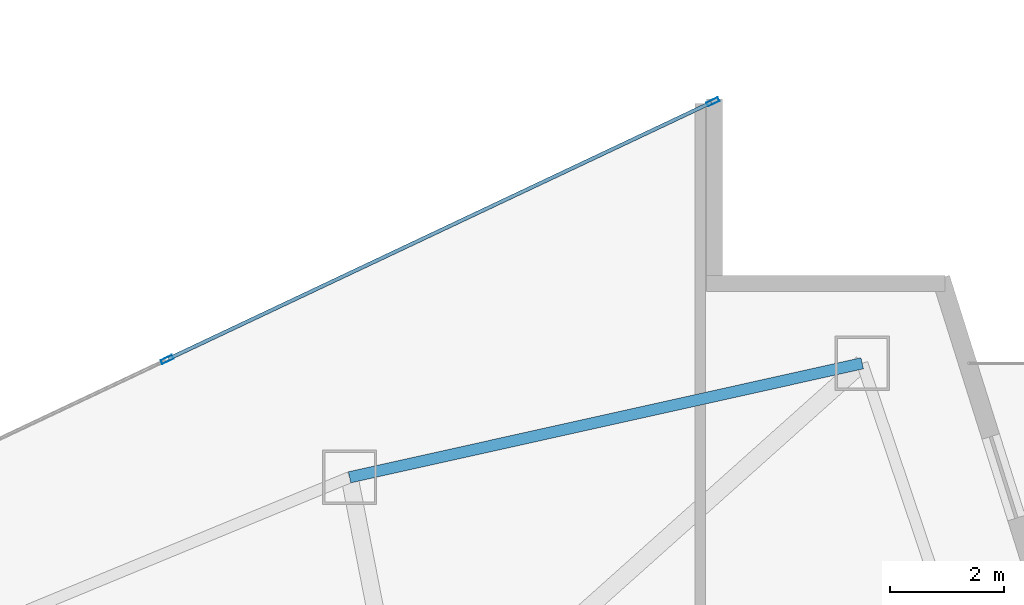
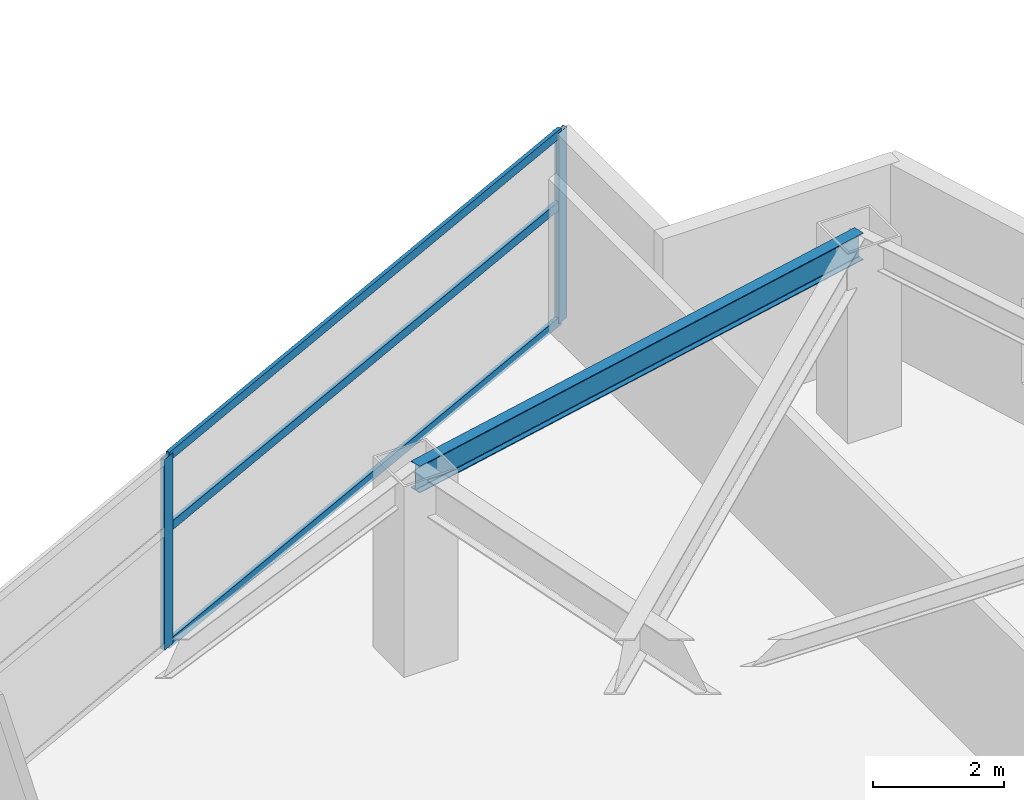
# One storey, part 20 of 30: 5 members, 1 beam, 1 element without a shape of its own.
"""IFC4 building model written with IfcOpenShell, lengths in metres."""

from ifc_helpers import new_model, si_unit, direction, frame, origin, origin_2d, place, context, subcontext, project, spatial, hollow_rectangle, i_section, extrude, material, layer, layer_set, material_profile, profile_set, type_object, element, aggregate, save


model = new_model("IFC4")

# Units and contexts
model_context = context("Model", 3, precision=1e-05, world=origin(), true_north=direction((0.0, 1.0)))
body_context = subcontext(model_context, "Body", "Model", "MODEL_VIEW")
ifc_project = project(units=[si_unit("LENGTHUNIT", "METRE"), si_unit("AREAUNIT", "SQUARE_METRE"), si_unit("VOLUMEUNIT", "CUBIC_METRE"), si_unit("PLANEANGLEUNIT", "RADIAN"), si_unit("MASSUNIT", "GRAM", prefix="KILO")], contexts=[model_context])

# Site, building, storey
site_placement = place(None, origin())
site = spatial("IfcSite", under=ifc_project, at=site_placement, CompositionType="ELEMENT")
building_placement = place(site_placement, origin())
building = spatial("IfcBuilding", under=site, at=building_placement, Name="Calvorn Quay Hotel", CompositionType="ELEMENT")
storey_placement = place(building_placement, frame((0.0, 0.0, 27.0)))
storey = spatial("IfcBuildingStorey", under=building, at=storey_placement, Name="L05", CompositionType="ELEMENT", Elevation=27.0)

# Beam
ifc_material_1 = material(Name="Steel Q355B", Category="steel")
ifc_material_profile_1 = material_profile(ifc_material_1, i_section(OverallWidth=0.199951171875, OverallDepth=0.5, WebThickness=0.010009765625, FlangeThickness=0.01611328125, FilletRadius=0.01611328125, at=origin_2d()), Name="HN500x200x10x16")
ifc_profile_set_1 = profile_set([ifc_material_profile_1], Name="Steel Q355B")
beam_type = type_object("IfcBeamType", Name="BM-SPANDREL-Z1", PredefinedType="SPANDREL", material=ifc_profile_set_1)
beam_placement = place(storey_placement, frame((52.990966796875, 33.39990234375, 3.2900390625), z_axis=(-0.976140886259, -0.217138136156, 0.0), x_axis=(0.217138136156, -0.976140886259, 0.0)))
element("IfcBeam", 1, at=beam_placement, inside=storey, type_object=beam_type, Name="Beam BSP-L05-E3", PredefinedType="SPANDREL", context=body_context, shape_type="SweptSolid", body=[
    extrude(i_section(OverallWidth=0.199951171875, OverallDepth=0.5, WebThickness=0.010009765625, FlangeThickness=0.01611328125, FilletRadius=0.01611328125, at=origin_2d()), origin(), (0.0, 0.0, 1.0), 9.210693359375),
])

# Curtain wall, members
ifc_material_2 = material(Name="Pale Anodised Aluminium and Low-E Glass", Category="aluminium")
ifc_layer = layer(ifc_material_2, 0.219970703125)
ifc_layer_set = layer_set([ifc_layer], Name="CW-SYS-Z1")
curtain_wall_type = type_object("IfcCurtainWallType", Name="CW-SYS-Z1", PredefinedType="NOTDEFINED", material=ifc_layer_set)
curtain_wall_placement = place(storey_placement, origin())
curtain_wall = element("IfcCurtainWall", 2, at=curtain_wall_placement, inside=storey, type_object=curtain_wall_type, Name="Inner Court Curtain Wall L05-NE1", PredefinedType="NOTDEFINED")
ifc_material_3 = material(Name="Pale Anodised Aluminium 6063-T6", Category="aluminium")
ifc_material_profile_2 = material_profile(ifc_material_3, hollow_rectangle(XDim=0.074951171875, YDim=0.219970703125, WallThickness=0.00439453125, at=origin_2d()), Name="ALU-M220x75x4.5")
ifc_profile_set_2 = profile_set([ifc_material_profile_2], Name="Pale Anodised Aluminium 6063-T6")
member_type_1 = type_object("IfcMemberType", Name="CW-SYS-Z1-MUL", PredefinedType="MULLION", material=ifc_profile_set_2)
member_1_placement = place(storey_placement, frame((50.372802734375, 37.9873046875, 0.0), z_axis=(0.0, 0.0, 1.0), x_axis=(0.427006305415, -0.904248646743, 0.0)))
member_1 = element("IfcMember", 3, at=member_1_placement, type_object=member_type_1, Name="CW-L05-NE1 mullion 1", PredefinedType="MULLION", context=body_context, shape_type="SweptSolid", body=[
    extrude(hollow_rectangle(XDim=0.074951171875, YDim=0.219970703125, WallThickness=0.00439453125, at=origin_2d()), origin(), (0.0, 0.0, 1.0), 3.56005859375),
])
member_2_placement = place(storey_placement, frame((40.800048828125, 33.466552734375, 0.0), z_axis=(0.0, 0.0, 1.0), x_axis=(0.427006305415, -0.904248646743, 0.0)))
member_2 = element("IfcMember", 4, at=member_2_placement, type_object=member_type_1, Name="CW-L05-NE1 mullion 2", PredefinedType="MULLION", context=body_context, shape_type="SweptSolid", body=[
    extrude(hollow_rectangle(XDim=0.074951171875, YDim=0.219970703125, WallThickness=0.00439453125, at=origin_2d()), origin(), (0.0, 0.0, 1.0), 3.56005859375),
])
ifc_material_4 = material(Name="Pale Anodised Aluminium 6063-T6", Category="aluminium")
ifc_material_profile_3 = material_profile(ifc_material_4, hollow_rectangle(XDim=0.06494140625, YDim=0.1650390625, WallThickness=0.00341796875, at=origin_2d()), Name="ALU-T165x65x3.5")
ifc_profile_set_3 = profile_set([ifc_material_profile_3], Name="Pale Anodised Aluminium 6063-T6")
member_type_2 = type_object("IfcMemberType", Name="CW-SYS-Z1-TRN", PredefinedType="USERDEFINED", material=ifc_profile_set_3)
member_3_placement = place(storey_placement, frame((50.345703125, 37.974365234375, 0.030029296875), z_axis=(-0.904248646746, -0.427006305408, 0.0), x_axis=(0.427006305408, -0.904248646746, 0.0)))
member_3 = element("IfcMember", 5, at=member_3_placement, type_object=member_type_2, Name="CW-L05-NE1 transom 1.1", ObjectType="TRANSOM", PredefinedType="USERDEFINED", context=body_context, shape_type="SweptSolid", body=[
    extrude(hollow_rectangle(XDim=0.06494140625, YDim=0.1650390625, WallThickness=0.00341796875, at=origin_2d()), origin(), (0.0, 0.0, 1.0), 10.5263671875),
])
member_4_placement = place(storey_placement, frame((50.345703125, 37.974365234375, 2.199951171875), z_axis=(-0.904248646746, -0.427006305408, 0.0), x_axis=(0.427006305408, -0.904248646746, 0.0)))
member_4 = element("IfcMember", 6, at=member_4_placement, type_object=member_type_2, Name="CW-L05-NE1 transom 1.2", ObjectType="TRANSOM", PredefinedType="USERDEFINED", context=body_context, shape_type="SweptSolid", body=[
    extrude(hollow_rectangle(XDim=0.06494140625, YDim=0.1650390625, WallThickness=0.00341796875, at=origin_2d()), origin(), (0.0, 0.0, 1.0), 10.5263671875),
])
member_5_placement = place(storey_placement, frame((50.345703125, 37.974365234375, 3.530029296875), z_axis=(-0.904248646746, -0.427006305408, 0.0), x_axis=(0.427006305408, -0.904248646746, 0.0)))
member_5 = element("IfcMember", 7, at=member_5_placement, type_object=member_type_2, Name="CW-L05-NE1 transom 1.3", ObjectType="TRANSOM", PredefinedType="USERDEFINED", context=body_context, shape_type="SweptSolid", body=[
    extrude(hollow_rectangle(XDim=0.06494140625, YDim=0.1650390625, WallThickness=0.00341796875, at=origin_2d()), origin(), (0.0, 0.0, 1.0), 10.5263671875),
])
aggregate(curtain_wall, [member_1, member_2, member_3, member_4, member_5])

save(model, "model.ifc")
